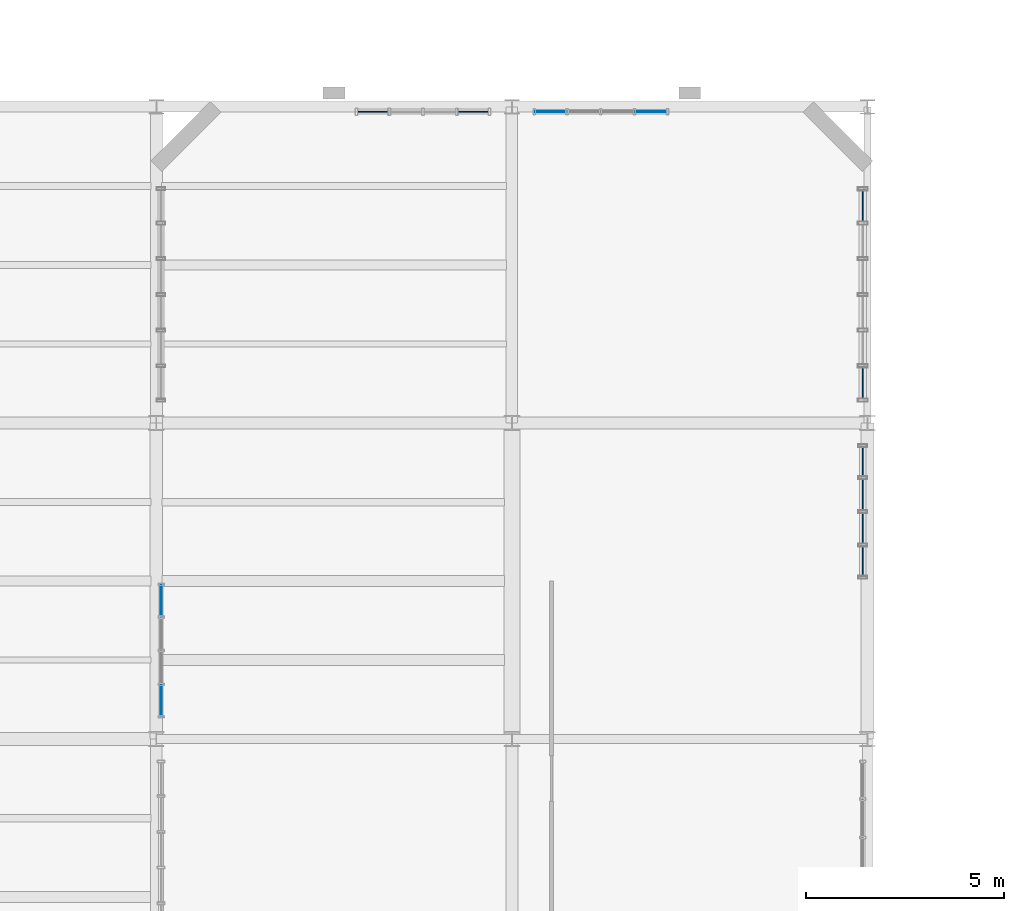
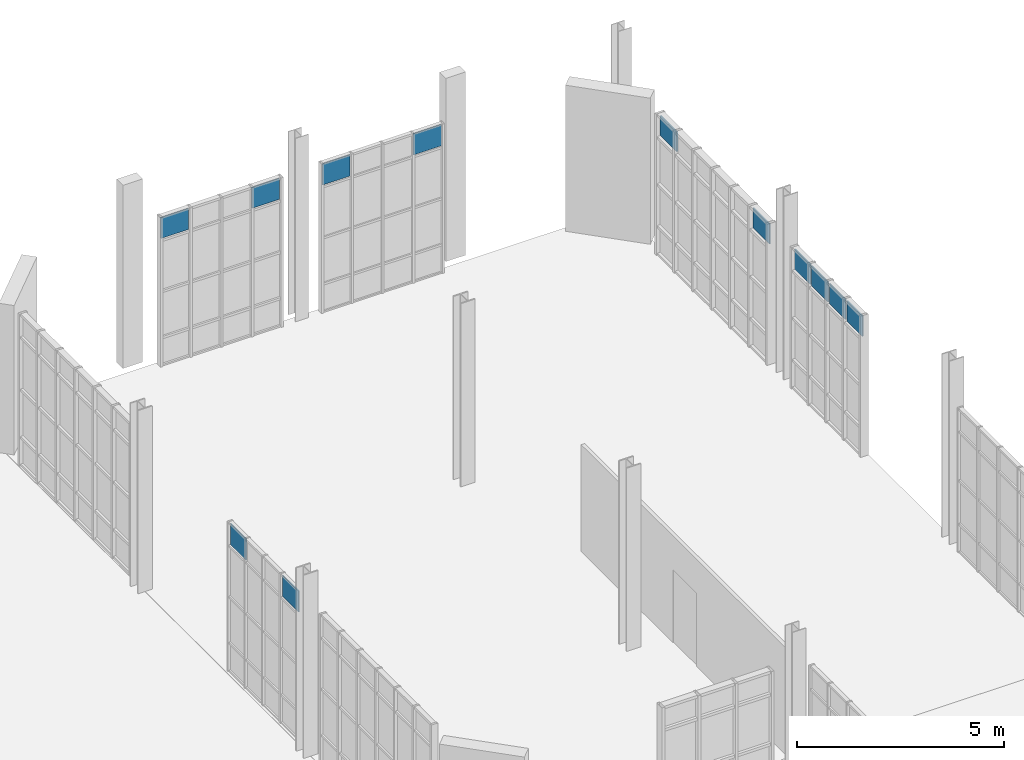
# One storey, part 170 of 189: 12 plates, 5 elements without a shape of their own.
"""IFC4 building model written with IfcOpenShell, lengths in metres."""

from ifc_helpers import new_model, si_unit, direction, frame, origin, origin_2d, place, context, subcontext, project, spatial, rectangle, extrude, material, layer, layer_set, type_object, element, aggregate, save


model = new_model("IFC4")

# Units and contexts
model_context = context("Model", 3, precision=1e-05, world=origin(), true_north=direction((0.0, 1.0)))
body_context = subcontext(model_context, "Body", "Model", "MODEL_VIEW")
ifc_project = project(units=[si_unit("LENGTHUNIT", "METRE"), si_unit("AREAUNIT", "SQUARE_METRE"), si_unit("VOLUMEUNIT", "CUBIC_METRE"), si_unit("PLANEANGLEUNIT", "RADIAN"), si_unit("MASSUNIT", "GRAM", prefix="KILO"), si_unit("THERMODYNAMICTEMPERATUREUNIT", "KELVIN"), si_unit("POWERUNIT", "WATT")], contexts=[model_context])

# Site, building, storey
site_placement = place(None, origin())
site = spatial("IfcSite", under=ifc_project, at=site_placement, CompositionType="ELEMENT")
building_placement = place(site_placement, origin())
building = spatial("IfcBuilding", under=site, at=building_placement, Name="Zelmaris Science Centre", CompositionType="ELEMENT")
storey_placement = place(building_placement, origin())
storey = spatial("IfcBuildingStorey", under=building, at=storey_placement, Name="L00", CompositionType="ELEMENT", Elevation=0.0)

# Curtain wall, plates
ifc_material_1 = material(Name="Anodised architectural aluminium 6063-T6", Category="aluminium")
ifc_layer_1 = layer(ifc_material_1, 0.18994140625, Name="Anodised architectural aluminium 6063-T6")
ifc_layer_set_1 = layer_set([ifc_layer_1], Name="Anodised architectural aluminium 6063-T6")
curtain_wall_type_1 = type_object("IfcCurtainWallType", Name="Curtain Wall CW-01", PredefinedType="USERDEFINED", material=ifc_layer_set_1)
curtain_wall_1_placement = place(storey_placement, origin())
curtain_wall_1 = element("IfcCurtainWall", 1, at=curtain_wall_1_placement, inside=storey, type_object=curtain_wall_type_1, Name="L00 Unitised curtain wall 85", ObjectType="GLAZED CURTAIN WALL", PredefinedType="USERDEFINED")
ifc_material_2 = material(Name="Laminated hurricane-rated low-E insulated glazing", Category="glass")
ifc_layer_2 = layer(ifc_material_2, 0.031982421875, Name="Laminated hurricane-rated low-E insulated glazing")
ifc_layer_set_2 = layer_set([ifc_layer_2], Name="Laminated hurricane-rated low-E insulated glazing")
plate_type_1 = type_object("IfcPlateType", Name="Curtain Glazing Panel CWP-1 32mm", PredefinedType="CURTAIN_PANEL", material=ifc_layer_set_2)
plate_1_placement = place(storey_placement, frame((107.880126953125, 85.490234375, 3.494140625), z_axis=(0.0, 0.0, 1.0), x_axis=(0.000129151293, -0.99999999166, 0.0)))
plate_1 = element("IfcPlate", 2, at=plate_1_placement, type_object=plate_type_1, Name="CW-01 panel 1.4", PredefinedType="CURTAIN_PANEL", context=body_context, shape_type="SweptSolid", body=[
    extrude(rectangle(XDim=0.79541015625, YDim=0.031982421875, at=origin_2d()), origin(), (0.0, 0.0, 1.0), 0.592041015625),
])
plate_2_placement = place(storey_placement, frame((107.880615234375, 81.009765625, 3.494140625), z_axis=(0.0, 0.0, 1.0), x_axis=(0.000129151293, -0.99999999166, 0.0)))
plate_2 = element("IfcPlate", 3, at=plate_2_placement, type_object=plate_type_1, Name="CW-01 panel 6.4", PredefinedType="CURTAIN_PANEL", context=body_context, shape_type="SweptSolid", body=[
    extrude(rectangle(XDim=0.79541015625, YDim=0.031982421875, at=origin_2d()), origin(), (0.0, 0.0, 1.0), 0.592041015625),
])
aggregate(curtain_wall_1, [plate_1, plate_2])

ifc_layer_3 = layer(ifc_material_1, 0.199951171875, Name="Anodised architectural aluminium 6063-T6")
ifc_layer_set_3 = layer_set([ifc_layer_3], Name="Anodised architectural aluminium 6063-T6")
curtain_wall_type_2 = type_object("IfcCurtainWallType", Name="Curtain Wall CW-02", PredefinedType="USERDEFINED", material=ifc_layer_set_3)
curtain_wall_2_placement = place(storey_placement, origin())
curtain_wall_2 = element("IfcCurtainWall", 4, at=curtain_wall_2_placement, inside=storey, type_object=curtain_wall_type_2, Name="L00 Unitised curtain wall 86", ObjectType="GLAZED CURTAIN WALL", PredefinedType="USERDEFINED")
ifc_layer_4 = layer(ifc_material_2, 0.028076171875, Name="Laminated hurricane-rated low-E insulated glazing")
ifc_layer_set_4 = layer_set([ifc_layer_4], Name="Laminated hurricane-rated low-E insulated glazing")
plate_type_2 = type_object("IfcPlateType", Name="Curtain Glazing Panel CWP-2 28mm", PredefinedType="CURTAIN_PANEL", material=ifc_layer_set_4)
plate_3_placement = place(storey_placement, frame((107.880859375, 79.018310546875, 3.491455078125), z_axis=(0.0, 0.0, 1.0), x_axis=(0.000147058824, -0.999999989187, 0.0)))
plate_3 = element("IfcPlate", 5, at=plate_3_placement, type_object=plate_type_2, Name="CW-02 panel 1.4", PredefinedType="CURTAIN_PANEL", context=body_context, shape_type="SweptSolid", body=[
    extrude(rectangle(XDim=0.74951171875, YDim=0.028076171875, at=origin_2d()), origin(), (0.0, 0.0, 1.0), 0.599609375),
])
plate_4_placement = place(storey_placement, frame((107.881103515625, 78.18505859375, 3.491455078125), z_axis=(0.0, 0.0, 1.0), x_axis=(0.000147058824, -0.999999989187, 0.0)))
plate_4 = element("IfcPlate", 6, at=plate_4_placement, type_object=plate_type_2, Name="CW-02 panel 2.4", PredefinedType="CURTAIN_PANEL", context=body_context, shape_type="SweptSolid", body=[
    extrude(rectangle(XDim=0.782958984375, YDim=0.028076171875, at=origin_2d()), origin(), (0.0, 0.0, 1.0), 0.599609375),
])
plate_5_placement = place(storey_placement, frame((107.881103515625, 77.3349609375, 3.491455078125), z_axis=(0.0, 0.0, 1.0), x_axis=(0.000147058824, -0.999999989187, 0.0)))
plate_5 = element("IfcPlate", 7, at=plate_5_placement, type_object=plate_type_2, Name="CW-02 panel 3.4", PredefinedType="CURTAIN_PANEL", context=body_context, shape_type="SweptSolid", body=[
    extrude(rectangle(XDim=0.782958984375, YDim=0.028076171875, at=origin_2d()), origin(), (0.0, 0.0, 1.0), 0.599609375),
])
plate_6_placement = place(storey_placement, frame((107.88134765625, 76.501708984375, 3.491455078125), z_axis=(0.0, 0.0, 1.0), x_axis=(0.000147058824, -0.999999989187, 0.0)))
plate_6 = element("IfcPlate", 8, at=plate_6_placement, type_object=plate_type_2, Name="CW-02 panel 4.4", PredefinedType="CURTAIN_PANEL", context=body_context, shape_type="SweptSolid", body=[
    extrude(rectangle(XDim=0.74951171875, YDim=0.028076171875, at=origin_2d()), origin(), (0.0, 0.0, 1.0), 0.599609375),
])
aggregate(curtain_wall_2, [plate_3, plate_4, plate_5, plate_6])

ifc_layer_5 = layer(ifc_material_1, 0.2099609375, Name="Anodised architectural aluminium 6063-T6")
ifc_layer_set_5 = layer_set([ifc_layer_5], Name="Anodised architectural aluminium 6063-T6")
curtain_wall_type_3 = type_object("IfcCurtainWallType", Name="Curtain Wall CW-03", PredefinedType="USERDEFINED", material=ifc_layer_set_5)
curtain_wall_3_placement = place(storey_placement, origin())
curtain_wall_3 = element("IfcCurtainWall", 9, at=curtain_wall_3_placement, inside=storey, type_object=curtain_wall_type_3, Name="L00 Unitised curtain wall 83", ObjectType="GLAZED CURTAIN WALL", PredefinedType="USERDEFINED")
ifc_layer_6 = layer(ifc_material_2, 0.02587890625, Name="Laminated hurricane-rated low-E insulated glazing")
ifc_layer_set_6 = layer_set([ifc_layer_6], Name="Laminated hurricane-rated low-E insulated glazing")
plate_type_3 = type_object("IfcPlateType", Name="Curtain Glazing Panel CWP-3 26mm", PredefinedType="CURTAIN_PANEL", material=ifc_layer_set_6)
plate_7_placement = place(storey_placement, frame((95.481689453125, 87.8798828125, 3.73046875), z_axis=(0.0, 0.0, 1.0), x_axis=(1.0, 0.0, 0.0)))
plate_7 = element("IfcPlate", 10, at=plate_7_placement, type_object=plate_type_3, Name="CW-03 panel 1.4", PredefinedType="CURTAIN_PANEL", context=body_context, shape_type="SweptSolid", body=[
    extrude(rectangle(XDim=0.76953125, YDim=0.02587890625, at=origin_2d()), origin(), (0.0, 0.0, 1.0), 0.614501953125),
])
plate_8_placement = place(storey_placement, frame((98.018310546875, 87.8798828125, 3.73046875), z_axis=(0.0, 0.0, 1.0), x_axis=(1.0, 0.0, 0.0)))
plate_8 = element("IfcPlate", 11, at=plate_8_placement, type_object=plate_type_3, Name="CW-03 panel 4.4", PredefinedType="CURTAIN_PANEL", context=body_context, shape_type="SweptSolid", body=[
    extrude(rectangle(XDim=0.76953125, YDim=0.02587890625, at=origin_2d()), origin(), (0.0, 0.0, 1.0), 0.614501953125),
])
aggregate(curtain_wall_3, [plate_7, plate_8])

ifc_layer_7 = layer(ifc_material_1, 0.219970703125, Name="Anodised architectural aluminium 6063-T6")
ifc_layer_set_7 = layer_set([ifc_layer_7], Name="Anodised architectural aluminium 6063-T6")
curtain_wall_type_4 = type_object("IfcCurtainWallType", Name="Curtain Wall CW-04", PredefinedType="USERDEFINED", material=ifc_layer_set_7)
curtain_wall_4_placement = place(storey_placement, origin())
curtain_wall_4 = element("IfcCurtainWall", 12, at=curtain_wall_4_placement, inside=storey, type_object=curtain_wall_type_4, Name="L00 Unitised curtain wall 80", ObjectType="GLAZED CURTAIN WALL", PredefinedType="USERDEFINED")
ifc_layer_8 = layer(ifc_material_2, 0.02392578125, Name="Laminated hurricane-rated low-E insulated glazing")
ifc_layer_set_8 = layer_set([ifc_layer_8], Name="Laminated hurricane-rated low-E insulated glazing")
plate_type_4 = type_object("IfcPlateType", Name="Curtain Glazing Panel CWP-4 24mm", PredefinedType="CURTAIN_PANEL", material=ifc_layer_set_8)
plate_9_placement = place(storey_placement, frame((90.1201171875, 72.97802734375, 3.72802734375), z_axis=(0.0, 0.0, 1.0), x_axis=(0.0, 1.0, 0.0)))
plate_9 = element("IfcPlate", 13, at=plate_9_placement, type_object=plate_type_4, Name="CW-04 panel 1.4", PredefinedType="CURTAIN_PANEL", context=body_context, shape_type="SweptSolid", body=[
    extrude(rectangle(XDim=0.77197265625, YDim=0.02392578125, at=origin_2d()), origin(), (0.0, 0.0, 1.0), 0.6220703125),
])
plate_10_placement = place(storey_placement, frame((90.1201171875, 75.501953125, 3.72802734375), z_axis=(0.0, 0.0, 1.0), x_axis=(0.0, 1.0, 0.0)))
plate_10 = element("IfcPlate", 14, at=plate_10_placement, type_object=plate_type_4, Name="CW-04 panel 4.4", PredefinedType="CURTAIN_PANEL", context=body_context, shape_type="SweptSolid", body=[
    extrude(rectangle(XDim=0.77197265625, YDim=0.02392578125, at=origin_2d()), origin(), (0.0, 0.0, 1.0), 0.6220703125),
])
aggregate(curtain_wall_4, [plate_9, plate_10])

curtain_wall_5_placement = place(storey_placement, origin())
curtain_wall_5 = element("IfcCurtainWall", 15, at=curtain_wall_5_placement, inside=storey, type_object=curtain_wall_type_4, Name="L00 Unitised curtain wall 84", ObjectType="GLAZED CURTAIN WALL", PredefinedType="USERDEFINED")
plate_11_placement = place(storey_placement, frame((99.98046875, 87.8798828125, 3.72802734375), z_axis=(0.0, 0.0, 1.0), x_axis=(1.0, 0.0, 0.0)))
plate_11 = element("IfcPlate", 16, at=plate_11_placement, type_object=plate_type_4, Name="CW-04 panel 1.4", PredefinedType="CURTAIN_PANEL", context=body_context, shape_type="SweptSolid", body=[
    extrude(rectangle(XDim=0.777099609375, YDim=0.02392578125, at=origin_2d()), origin(), (0.0, 0.0, 1.0), 0.6220703125),
])
plate_12_placement = place(storey_placement, frame((102.51953125, 87.8798828125, 3.72802734375), z_axis=(0.0, 0.0, 1.0), x_axis=(1.0, 0.0, 0.0)))
plate_12 = element("IfcPlate", 17, at=plate_12_placement, type_object=plate_type_4, Name="CW-04 panel 4.4", PredefinedType="CURTAIN_PANEL", context=body_context, shape_type="SweptSolid", body=[
    extrude(rectangle(XDim=0.777099609375, YDim=0.02392578125, at=origin_2d()), origin(), (0.0, 0.0, 1.0), 0.6220703125),
])
aggregate(curtain_wall_5, [plate_11, plate_12])

save(model, "model.ifc")
